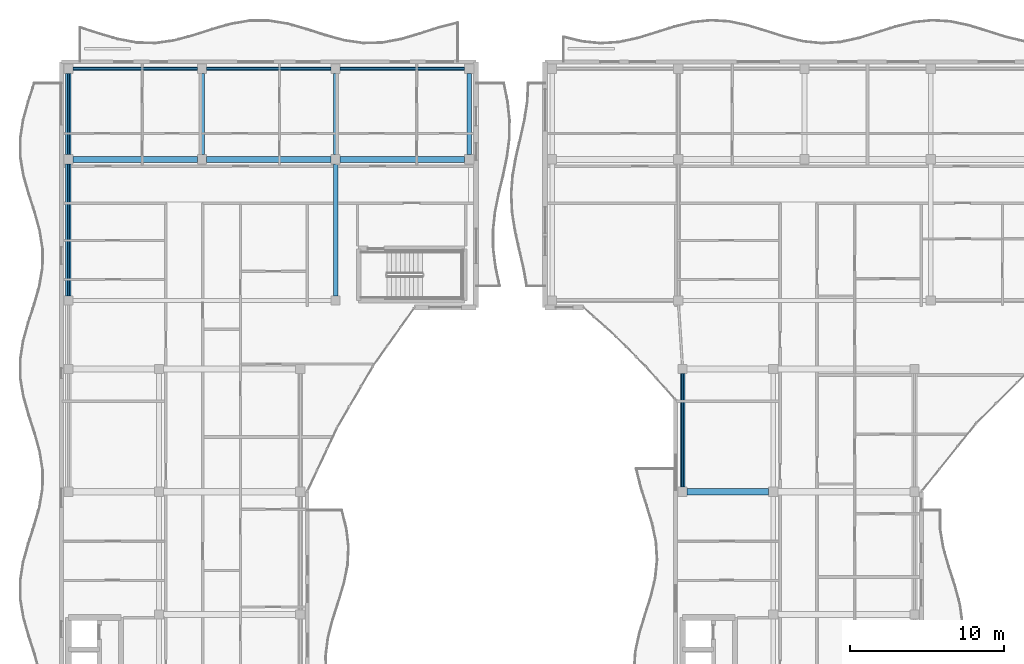
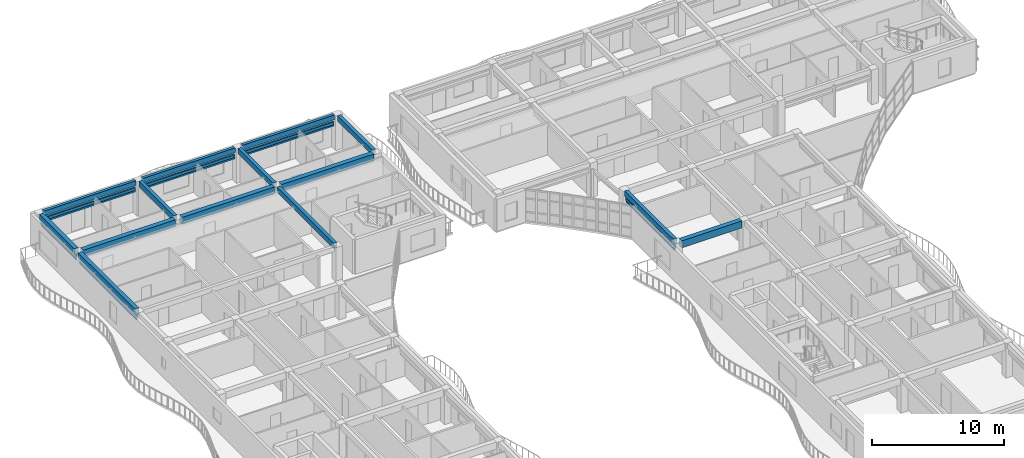
# One storey, part 3 of 72: 14 beams, 12 members.
"""IFC4 building model written with IfcOpenShell, lengths in metres."""

from ifc_helpers import new_model, si_unit, direction, frame, origin, origin_2d, place, context, subcontext, project, spatial, rectangle, hollow_rectangle, extrude, material, material_profile, profile_set, type_object, element, save


model = new_model("IFC4")

# Units and contexts
model_context = context("Model", 3, precision=1e-05, world=origin(), true_north=direction((0.0, 1.0)))
body_context = subcontext(model_context, "Body", "Model", "MODEL_VIEW")
ifc_project = project(units=[si_unit("LENGTHUNIT", "METRE"), si_unit("AREAUNIT", "SQUARE_METRE"), si_unit("VOLUMEUNIT", "CUBIC_METRE"), si_unit("PLANEANGLEUNIT", "RADIAN"), si_unit("MASSUNIT", "GRAM", prefix="KILO")], contexts=[model_context])

# Site, building, storey
site_placement = place(None, origin())
site = spatial("IfcSite", under=ifc_project, at=site_placement, CompositionType="ELEMENT")
building_placement = place(site_placement, origin())
building = spatial("IfcBuilding", under=site, at=building_placement, Name="Keldmere Railside Commons", CompositionType="ELEMENT")
storey_placement = place(building_placement, frame((0.0, 0.0, 16.9599609375)))
storey = spatial("IfcBuildingStorey", under=building, at=storey_placement, Name="L05", CompositionType="ELEMENT", Elevation=16.9599609375)

# Members
ifc_material_1 = material(Name="Steel F-36 (S355)", Category="steel")
ifc_material_profile_1 = material_profile(ifc_material_1, hollow_rectangle(XDim=0.14990234375, YDim=0.25, WallThickness=0.010009765625, at=origin_2d()), Name="RHS-250x150x10")
ifc_profile_set_1 = profile_set([ifc_material_profile_1], Name="Steel F-36 (S355)")
member_type_1 = type_object("IfcMemberType", Name="Balcony Continuous Planted Trough RHS250x150", PredefinedType="CHORD", material=ifc_profile_set_1)
for number, where, z_axis, x_axis, name in (
    (1, (8.75, 115.550048828125, 2.4150390625), (1.0, 0.0, 0.0), (0.0, 1.0, 0.0), "PLT-1 MEM-BPLT-0565"),
    (2, (17.449951171875, 115.550048828125, 2.4150390625), (1.0, 0.0, 0.0), (0.0, 1.0, 0.0), "PLT-1 MEM-BPLT-0567"),
    (3, (26.14990234375, 115.550048828125, 2.4150390625), (1.0, 0.0, 0.0), (0.0, 1.0, 0.0), "PLT-1 MEM-BPLT-0569"),
):
    element("IfcMember", number, at=place(storey_placement, frame(where, z_axis=z_axis, x_axis=x_axis)), inside=storey, type_object=member_type_1, Name=name, PredefinedType="CHORD", context=body_context, shape_type="SweptSolid", body=[
        extrude(hollow_rectangle(XDim=0.14990234375, YDim=0.25, WallThickness=0.010009765625, at=origin_2d()), origin(), (0.0, 0.0, 1.0), 8.10009765625),
    ])
member_1_placement = place(storey_placement, frame((8.449951171875, 100.75, 2.4150390625), z_axis=(0.0, 1.0, 0.0), x_axis=(-1.0, 0.0, 0.0)))
element("IfcMember", 4, at=member_1_placement, inside=storey, type_object=member_type_1, Name="PLT-1 MEM-BPLT-0575", PredefinedType="CHORD", context=body_context, shape_type="SweptSolid", body=[
    extrude(hollow_rectangle(XDim=0.14990234375, YDim=0.25, WallThickness=0.010009765625, at=origin_2d()), origin(), (0.0, 0.0, 1.0), 8.60009765625),
])
member_2_placement = place(storey_placement, frame((8.449951171875, 109.949951171875, 2.4150390625), z_axis=(0.0, 1.0, 0.0), x_axis=(-1.0, 0.0, 0.0)))
element("IfcMember", 5, at=member_2_placement, inside=storey, type_object=member_type_1, Name="PLT-1 MEM-BPLT-0577", PredefinedType="CHORD", context=body_context, shape_type="SweptSolid", body=[
    extrude(hollow_rectangle(XDim=0.14990234375, YDim=0.25, WallThickness=0.010009765625, at=origin_2d()), origin(), (0.0, 0.0, 1.0), 5.300048828125),
])
member_3_placement = place(storey_placement, frame((48.449951171875, 88.300048828125, 2.4150390625), z_axis=(0.0, 1.0, 0.0), x_axis=(-1.0, 0.0, 0.0)))
element("IfcMember", 6, at=member_3_placement, inside=storey, type_object=member_type_1, Name="PLT-1 MEM-BPLT-0603", PredefinedType="CHORD", context=body_context, shape_type="SweptSolid", body=[
    extrude(hollow_rectangle(XDim=0.14990234375, YDim=0.25, WallThickness=0.010009765625, at=origin_2d()), origin(), (0.0, 0.0, 1.0), 7.39990234375),
])

# Beams
ifc_material_2 = material(Name="Architectural Precast Concrete H-35 (C35/45)", Category="concrete")
ifc_material_profile_2 = material_profile(ifc_material_2, rectangle(XDim=0.25, YDim=0.449951171875, at=origin_2d()), Name="RC-250x450")
ifc_profile_set_2 = profile_set([ifc_material_profile_2], Name="Architectural Precast Concrete H-35 (C35/45)")
beam_type_1 = type_object("IfcBeamType", Name="Perimeter Precast Spandrel Beam 250x450", PredefinedType="SPANDREL", material=ifc_profile_set_2)
for number, where, z_axis, x_axis, name in (
    (7, (8.75, 115.550048828125, 2.97509765625), (1.0, 0.0, 0.0), (0.0, 1.0, 0.0), "SPB-1 BM-L05-1757"),
    (8, (17.449951171875, 115.550048828125, 2.97509765625), (1.0, 0.0, 0.0), (0.0, 1.0, 0.0), "SPB-1 BM-L05-1758"),
    (9, (26.14990234375, 115.550048828125, 2.97509765625), (1.0, 0.0, 0.0), (0.0, 1.0, 0.0), "SPB-1 BM-L05-1759"),
):
    element("IfcBeam", number, at=place(storey_placement, frame(where, z_axis=z_axis, x_axis=x_axis)), inside=storey, type_object=beam_type_1, Name=name, PredefinedType="SPANDREL", context=body_context, shape_type="SweptSolid", body=[
        extrude(rectangle(XDim=0.25, YDim=0.449951171875, at=origin_2d()), origin(), (0.0, 0.0, 1.0), 8.10009765625),
    ])
ifc_material_3 = material(Name="Concrete H-30 (C30/37)", Category="concrete")
ifc_material_profile_3 = material_profile(ifc_material_3, rectangle(XDim=0.35009765625, YDim=0.60009765625, at=origin_2d()), Name="RC-350x600")
ifc_profile_set_3 = profile_set([ifc_material_profile_3], Name="Concrete H-30 (C30/37)")
beam_type_2 = type_object("IfcBeamType", Name="Residential Chord RC Beam 350x600", PredefinedType="BEAM", material=ifc_profile_set_3)
beam_1_placement = place(storey_placement, frame((8.449951171875, 100.75, 2.900146484375), z_axis=(0.0, 1.0, 0.0), x_axis=(-1.0, 0.0, 0.0)))
element("IfcBeam", 10, at=beam_1_placement, inside=storey, type_object=beam_type_2, Name="BG-4 BM-L05-1778", PredefinedType="BEAM", context=body_context, shape_type="SweptSolid", body=[
    extrude(rectangle(XDim=0.35009765625, YDim=0.60009765625, at=origin_2d()), origin(), (0.0, 0.0, 1.0), 8.60009765625),
])
beam_2_placement = place(storey_placement, frame((8.449951171875, 109.949951171875, 2.900146484375), z_axis=(0.0, 1.0, 0.0), x_axis=(-1.0, 0.0, 0.0)))
element("IfcBeam", 11, at=beam_2_placement, inside=storey, type_object=beam_type_2, Name="BG-4 BM-L05-1779", PredefinedType="BEAM", context=body_context, shape_type="SweptSolid", body=[
    extrude(rectangle(XDim=0.35009765625, YDim=0.60009765625, at=origin_2d()), origin(), (0.0, 0.0, 1.0), 5.300048828125),
])
ifc_material_profile_4 = material_profile(ifc_material_3, rectangle(XDim=0.39990234375, YDim=0.64990234375, at=origin_2d()), Name="RC-400x650")
ifc_profile_set_4 = profile_set([ifc_material_profile_4], Name="Concrete H-30 (C30/37)")
beam_type_3 = type_object("IfcBeamType", Name="Residential Spine RC Girder 400x650", PredefinedType="BEAM", material=ifc_profile_set_4)
beam_3_placement = place(storey_placement, frame((48.75, 88.0, 2.875), z_axis=(1.0, 0.0, 0.0), x_axis=(0.0, 1.0, 0.0)))
element("IfcBeam", 12, at=beam_3_placement, inside=storey, type_object=beam_type_3, Name="BG-3 BM-L05-1714", PredefinedType="BEAM", context=body_context, shape_type="SweptSolid", body=[
    extrude(rectangle(XDim=0.39990234375, YDim=0.64990234375, at=origin_2d()), origin(), (0.0, 0.0, 1.0), 5.300048828125),
])
for number, where, z_axis, x_axis, name in (
    (13, (8.75, 109.64990234375, 2.875), (1.0, 0.0, 0.0), (0.0, 1.0, 0.0), "BG-3 BM-L05-1738"),
    (14, (17.449951171875, 109.64990234375, 2.875), (1.0, 0.0, 0.0), (0.0, 1.0, 0.0), "BG-3 BM-L05-1739"),
    (15, (26.14990234375, 109.64990234375, 2.875), (1.0, 0.0, 0.0), (0.0, 1.0, 0.0), "BG-3 BM-L05-1740"),
):
    element("IfcBeam", number, at=place(storey_placement, frame(where, z_axis=z_axis, x_axis=x_axis)), inside=storey, type_object=beam_type_3, Name=name, PredefinedType="BEAM", context=body_context, shape_type="SweptSolid", body=[
        extrude(rectangle(XDim=0.39990234375, YDim=0.64990234375, at=origin_2d()), origin(), (0.0, 0.0, 1.0), 8.10009765625),
    ])
ifc_material_profile_5 = material_profile(ifc_material_3, rectangle(XDim=0.300048828125, YDim=0.5, at=origin_2d()), Name="RC-300x500")
ifc_profile_set_5 = profile_set([ifc_material_profile_5], Name="Concrete H-30 (C30/37)")
beam_type_4 = type_object("IfcBeamType", Name="Secondary Frame RC Beam 300x500", PredefinedType="BEAM", material=ifc_profile_set_5)
beam_4_placement = place(storey_placement, frame((17.14990234375, 109.949951171875, 2.949951171875), z_axis=(0.0, 1.0, 0.0), x_axis=(-1.0, 0.0, 0.0)))
element("IfcBeam", 16, at=beam_4_placement, inside=storey, type_object=beam_type_4, Name="BG-5 BM-L05-1784", PredefinedType="BEAM", context=body_context, shape_type="SweptSolid", body=[
    extrude(rectangle(XDim=0.300048828125, YDim=0.5, at=origin_2d()), origin(), (0.0, 0.0, 1.0), 5.300048828125),
])
beam_5_placement = place(storey_placement, frame((25.85009765625, 100.75, 2.949951171875), z_axis=(0.0, 1.0, 0.0), x_axis=(-1.0, 0.0, 0.0)))
element("IfcBeam", 17, at=beam_5_placement, inside=storey, type_object=beam_type_4, Name="BG-5 BM-L05-1789", PredefinedType="BEAM", context=body_context, shape_type="SweptSolid", body=[
    extrude(rectangle(XDim=0.300048828125, YDim=0.5, at=origin_2d()), origin(), (0.0, 0.0, 1.0), 8.60009765625),
])
for number, where, z_axis, x_axis, name in (
    (18, (25.85009765625, 109.949951171875, 2.949951171875), (0.0, 1.0, 0.0), (-1.0, 0.0, 0.0), "BG-5 BM-L05-1790"),
    (19, (34.550048828125, 109.949951171875, 2.949951171875), (0.0, 1.0, 0.0), (-1.0, 0.0, 0.0), "BG-5 BM-L05-1791"),
):
    element("IfcBeam", number, at=place(storey_placement, frame(where, z_axis=z_axis, x_axis=x_axis)), inside=storey, type_object=beam_type_4, Name=name, PredefinedType="BEAM", context=body_context, shape_type="SweptSolid", body=[
        extrude(rectangle(XDim=0.300048828125, YDim=0.5, at=origin_2d()), origin(), (0.0, 0.0, 1.0), 5.300048828125),
    ])
beam_6_placement = place(storey_placement, frame((48.449951171875, 88.300048828125, 2.949951171875), z_axis=(0.0, 1.0, 0.0), x_axis=(-1.0, 0.0, 0.0)))
element("IfcBeam", 20, at=beam_6_placement, inside=storey, type_object=beam_type_4, Name="BG-5 BM-L05-1797", PredefinedType="BEAM", context=body_context, shape_type="SweptSolid", body=[
    extrude(rectangle(XDim=0.300048828125, YDim=0.5, at=origin_2d()), origin(), (0.0, 0.0, 1.0), 7.39990234375),
])

# Members
ifc_material_profile_6 = material_profile(ifc_material_1, hollow_rectangle(XDim=0.10009765625, YDim=0.159912109375, WallThickness=0.008056640625, at=origin_2d()), Name="RHS-160x100x8")
ifc_profile_set_6 = profile_set([ifc_material_profile_6], Name="Steel F-36 (S355)")
member_type_2 = type_object("IfcMemberType", Name="Solar Brise-Soleil Louvre Fin RHS160x100", PredefinedType="STRUT", material=ifc_profile_set_6)
for number, where, z_axis, x_axis, name in (
    (21, (8.75, 115.550048828125, 2.199951171875), (1.0, 0.0, 0.0), (0.0, 1.0, 0.0), "BSF-1 MEM-BSF-0566"),
    (22, (17.449951171875, 115.550048828125, 2.199951171875), (1.0, 0.0, 0.0), (0.0, 1.0, 0.0), "BSF-1 MEM-BSF-0568"),
    (23, (26.14990234375, 115.550048828125, 2.199951171875), (1.0, 0.0, 0.0), (0.0, 1.0, 0.0), "BSF-1 MEM-BSF-0570"),
):
    element("IfcMember", number, at=place(storey_placement, frame(where, z_axis=z_axis, x_axis=x_axis)), inside=storey, type_object=member_type_2, Name=name, PredefinedType="STRUT", context=body_context, shape_type="SweptSolid", body=[
        extrude(hollow_rectangle(XDim=0.10009765625, YDim=0.159912109375, WallThickness=0.008056640625, at=origin_2d()), origin(), (0.0, 0.0, 1.0), 8.10009765625),
    ])
member_4_placement = place(storey_placement, frame((8.449951171875, 100.75, 2.199951171875), z_axis=(0.0, 1.0, 0.0), x_axis=(-1.0, 0.0, 0.0)))
element("IfcMember", 24, at=member_4_placement, inside=storey, type_object=member_type_2, Name="BSF-1 MEM-BSF-0576", PredefinedType="STRUT", context=body_context, shape_type="SweptSolid", body=[
    extrude(hollow_rectangle(XDim=0.10009765625, YDim=0.159912109375, WallThickness=0.008056640625, at=origin_2d()), origin(), (0.0, 0.0, 1.0), 8.60009765625),
])
member_5_placement = place(storey_placement, frame((8.449951171875, 109.949951171875, 2.199951171875), z_axis=(0.0, 1.0, 0.0), x_axis=(-1.0, 0.0, 0.0)))
element("IfcMember", 25, at=member_5_placement, inside=storey, type_object=member_type_2, Name="BSF-1 MEM-BSF-0578", PredefinedType="STRUT", context=body_context, shape_type="SweptSolid", body=[
    extrude(hollow_rectangle(XDim=0.10009765625, YDim=0.159912109375, WallThickness=0.008056640625, at=origin_2d()), origin(), (0.0, 0.0, 1.0), 5.300048828125),
])
member_6_placement = place(storey_placement, frame((48.449951171875, 88.300048828125, 2.199951171875), z_axis=(0.0, 1.0, 0.0), x_axis=(-1.0, 0.0, 0.0)))
element("IfcMember", 26, at=member_6_placement, inside=storey, type_object=member_type_2, Name="BSF-1 MEM-BSF-0604", PredefinedType="STRUT", context=body_context, shape_type="SweptSolid", body=[
    extrude(hollow_rectangle(XDim=0.10009765625, YDim=0.159912109375, WallThickness=0.008056640625, at=origin_2d()), origin(), (0.0, 0.0, 1.0), 7.39990234375),
])

save(model, "model.ifc")
